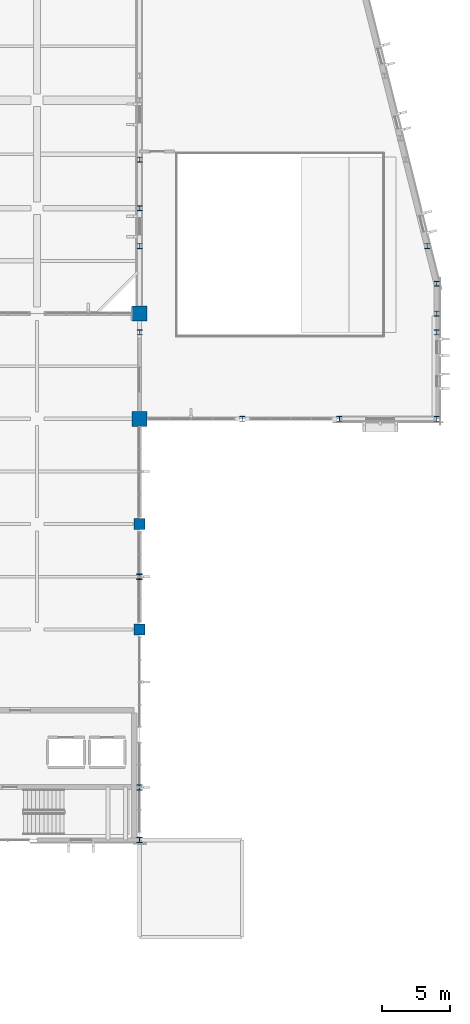
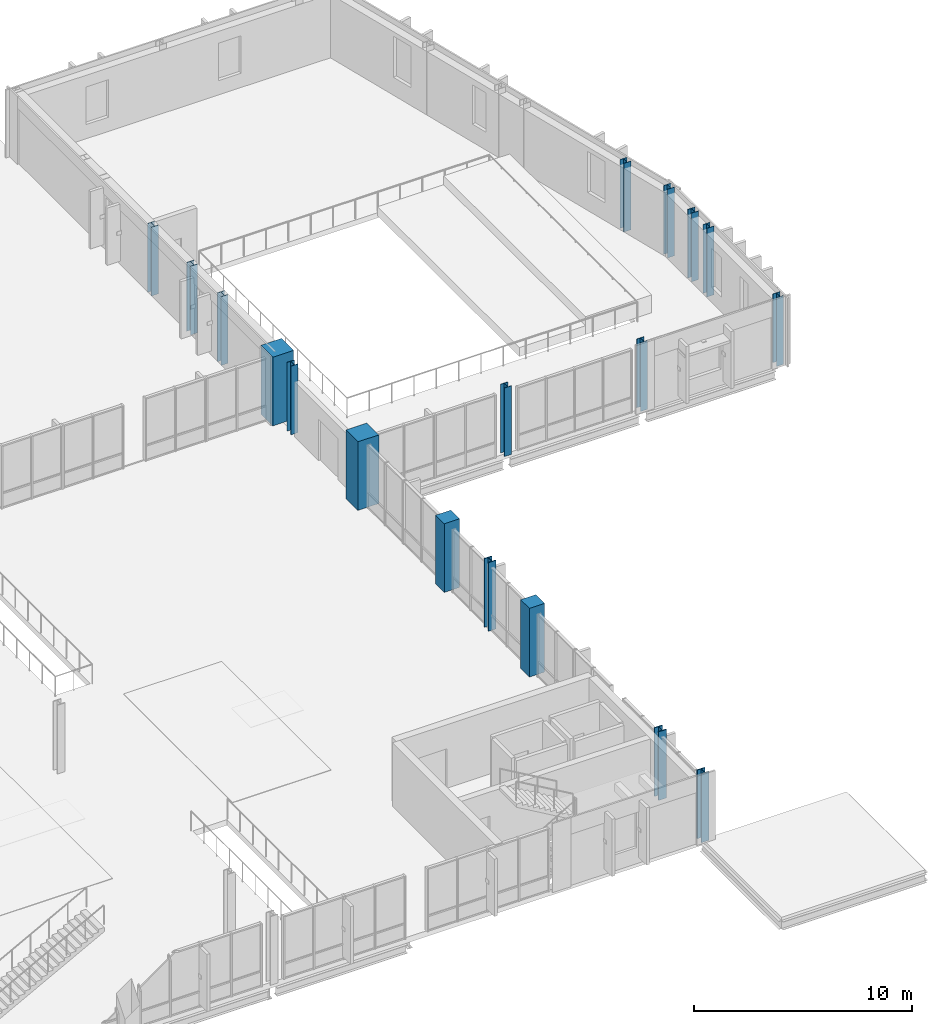
# One storey, part 12 of 85: 18 columns.
"""IFC4 building model written with IfcOpenShell, lengths in metres."""

from ifc_helpers import new_model, si_unit, direction, frame, origin, origin_2d, place, context, subcontext, project, spatial, rectangle, i_section, extrude, material, material_profile, profile_set, type_object, element, save


model = new_model("IFC4")

# Units and contexts
model_context = context("Model", 3, precision=1e-05, world=origin(), true_north=direction((0.0, 1.0)))
body_context = subcontext(model_context, "Body", "Model", "MODEL_VIEW")
ifc_project = project(units=[si_unit("LENGTHUNIT", "METRE"), si_unit("AREAUNIT", "SQUARE_METRE"), si_unit("VOLUMEUNIT", "CUBIC_METRE"), si_unit("PLANEANGLEUNIT", "RADIAN"), si_unit("MASSUNIT", "GRAM", prefix="KILO")], contexts=[model_context])

# Site, building, storey
site_placement = place(None, origin())
site = spatial("IfcSite", under=ifc_project, at=site_placement, CompositionType="ELEMENT")
building_placement = place(site_placement, origin())
building = spatial("IfcBuilding", under=site, at=building_placement, Name="Vervanel Yard Central Library", CompositionType="ELEMENT")
storey_placement = place(building_placement, frame((0.0, 0.0, 5.10009765625)))
storey = spatial("IfcBuildingStorey", under=building, at=storey_placement, Name="L01", CompositionType="ELEMENT", Elevation=5.10009765625)

# Columns
ifc_material_1 = material(Name="Concrete C45/55", Category="concrete")
ifc_material_profile_1 = material_profile(ifc_material_1, rectangle(XDim=0.800048828125, YDim=0.800048828125, at=origin_2d()), Name="RC 800x800", Category="concrete")
ifc_profile_set_1 = profile_set([ifc_material_profile_1], Name="Concrete C45/55")
column_type_1 = type_object("IfcColumnType", Name="Concrete Column 800x800", PredefinedType="COLUMN", material=ifc_profile_set_1)
for number, where, z_axis, x_axis, name in (
    (1, (146.0, 58.800048828125, 0.0), (0.0, 0.0, 1.0), (1.0, 0.0, 0.0), "L01 Concrete Column 800x800 (146.0, 58.8)"),
    (2, (146.0, 66.60009765625, 0.0), (0.0, 0.0, 1.0), (1.0, 0.0, 0.0), "L01 Concrete Column 800x800 (146.0, 66.6)"),
):
    element("IfcColumn", number, at=place(storey_placement, frame(where, z_axis=z_axis, x_axis=x_axis)), inside=storey, type_object=column_type_1, Name=name, PredefinedType="COLUMN", context=body_context, shape_type="SweptSolid", body=[
        extrude(rectangle(XDim=0.800048828125, YDim=0.800048828125, at=origin_2d()), origin(), (0.0, 0.0, 1.0), 3.83984375),
    ])
ifc_material_profile_2 = material_profile(ifc_material_1, rectangle(XDim=1.10009765625, YDim=1.10009765625, at=origin_2d()), Name="RC 1100x1100", Category="concrete")
ifc_profile_set_2 = profile_set([ifc_material_profile_2], Name="Concrete C45/55")
column_type_2 = type_object("IfcColumnType", Name="Fulcrum Mega-Column 1100x1100", PredefinedType="COLUMN", material=ifc_profile_set_2)
for number, where, z_axis, x_axis, name in (
    (3, (146.0, 74.39990234375, 0.0), (0.0, 0.0, 1.0), (1.0, 0.0, 0.0), "L01 Fulcrum Mega-Column 1100x1100 (146.0, 74.4)"),
    (4, (146.0, 82.199951171875, 0.0), (0.0, 0.0, 1.0), (1.0, 0.0, 0.0), "L01 Fulcrum Mega-Column 1100x1100 (146.0, 82.2)"),
):
    element("IfcColumn", number, at=place(storey_placement, frame(where, z_axis=z_axis, x_axis=x_axis)), inside=storey, type_object=column_type_2, Name=name, PredefinedType="COLUMN", context=body_context, shape_type="SweptSolid", body=[
        extrude(rectangle(XDim=1.10009765625, YDim=1.10009765625, at=origin_2d()), origin(), (0.0, 0.0, 1.0), 3.83984375),
    ])
ifc_material_2 = material(Name="Steel ASTM A992 Grade 50", Category="steel")
ifc_material_profile_3 = material_profile(ifc_material_2, i_section(OverallWidth=0.373291015625, OverallDepth=0.368408203125, WebThickness=0.014892578125, FlangeThickness=0.02392578125, at=origin_2d()), Name="W14X120", Category="steel")
ifc_profile_set_3 = profile_set([ifc_material_profile_3], Name="Steel ASTM A992 Grade 50")
column_type_3 = type_object("IfcColumnType", Name="Steel Column W14X120", PredefinedType="COLUMN", material=ifc_profile_set_3)
for number, where, z_axis, x_axis, name in (
    (5, (146.0, 90.0, 0.0), (0.0, 0.0, 1.0), (1.0, 0.0, 0.0), "L01 Steel Column W14X120 (146.0, 90.0)"),
    (6, (153.60009765625, 74.39990234375, 0.0), (0.0, 0.0, 1.0), (1.0, 0.0, 0.0), "L01 Steel Column W14X120 (153.6, 74.4)"),
    (7, (160.800048828125, 74.39990234375, 0.0), (0.0, 0.0, 1.0), (1.0, 0.0, 0.0), "L01 Steel Column W14X120 (160.8, 74.4)"),
    (8, (168.0, 74.39990234375, 0.0), (0.0, 0.0, 1.0), (1.0, 0.0, 0.0), "L01 Steel Column W14X120 (168.0, 74.4)"),
    (9, (168.0, 82.199951171875, 0.0), (0.0, 0.0, 1.0), (1.0, 0.0, 0.0), "L01 Steel Column W14X120 (168.0, 82.2)"),
    (10, (168.0, 84.39990234375, 0.0), (0.0, 0.0, 1.0), (1.0, 0.0, 0.0), "L01 Steel Column W14X120 (168.0, 84.4)"),
    (11, (146.0, 80.800048828125, 0.0), (0.0, 0.0, 1.0), (1.0, 0.0, 0.0), "L01 Auditorium West Post 2"),
    (12, (168.0, 80.800048828125, 0.0), (0.0, 0.0, 1.0), (1.0, 0.0, 0.0), "L01 Auditorium East Post 2"),
    (13, (146.0, 87.199951171875, 0.0), (0.0, 0.0, 1.0), (1.0, 0.0, 0.0), "L01 Auditorium West Post 3"),
    (14, (167.300048828125, 87.199951171875, 0.0), (0.0, 0.0, 1.0), (1.0, 0.0, 0.0), "L01 Auditorium East Post 3"),
    (15, (146.0, 93.60009765625, 0.0), (0.0, 0.0, 1.0), (1.0, 0.0, 0.0), "L01 Auditorium West Post 4"),
):
    element("IfcColumn", number, at=place(storey_placement, frame(where, z_axis=z_axis, x_axis=x_axis)), inside=storey, type_object=column_type_3, Name=name, PredefinedType="COLUMN", context=body_context, shape_type="SweptSolid", body=[
        extrude(i_section(OverallWidth=0.373291015625, OverallDepth=0.368408203125, WebThickness=0.014892578125, FlangeThickness=0.02392578125, at=origin_2d()), origin(), (0.0, 0.0, 1.0), 3.83984375),
    ])
ifc_material_profile_4 = material_profile(ifc_material_2, i_section(OverallWidth=0.406494140625, OverallDepth=0.41650390625, WebThickness=0.030029296875, FlangeThickness=0.048095703125, at=origin_2d()), Name="W14X257", Category="steel")
ifc_profile_set_4 = profile_set([ifc_material_profile_4], Name="Steel ASTM A992 Grade 50")
column_type_4 = type_object("IfcColumnType", Name="Steel Fulcrum Post W14X257", PredefinedType="COLUMN", material=ifc_profile_set_4)
for number, where, z_axis, x_axis, name in (
    (16, (146.0, 47.10009765625, 0.0), (0.0, 0.0, 1.0), (1.0, 0.0, 0.0), "L01 Prow Truss S Post (146.0, 47.1)"),
    (17, (146.0, 62.699951171875, 0.0), (0.0, 0.0, 1.0), (1.0, 0.0, 0.0), "L01 Prow Truss N Post (146.0, 62.7)"),
    (18, (146.0, 43.199951171875, 0.0), (0.0, 0.0, 1.0), (1.0, 0.0, 0.0), "L01 V3 Spandrel Stack Post S X=146.0"),
):
    element("IfcColumn", number, at=place(storey_placement, frame(where, z_axis=z_axis, x_axis=x_axis)), inside=storey, type_object=column_type_4, Name=name, PredefinedType="COLUMN", context=body_context, shape_type="SweptSolid", body=[
        extrude(i_section(OverallWidth=0.406494140625, OverallDepth=0.41650390625, WebThickness=0.030029296875, FlangeThickness=0.048095703125, at=origin_2d()), origin(), (0.0, 0.0, 1.0), 3.83984375),
    ])

save(model, "model.ifc")
